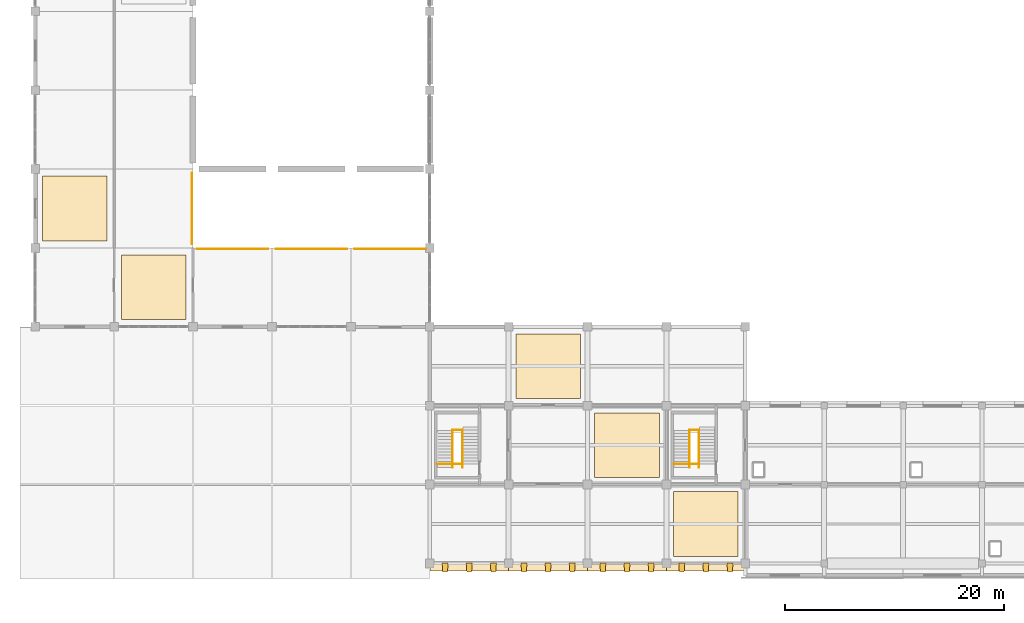
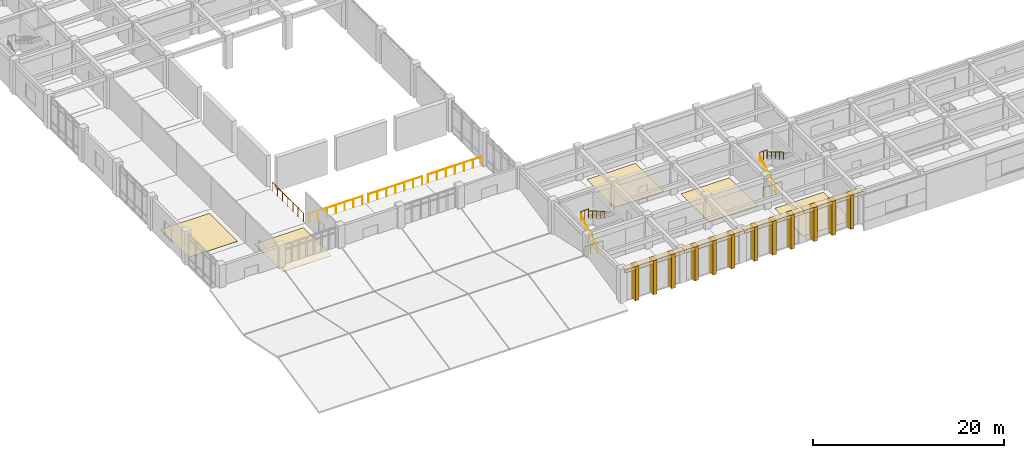
# One storey, part 64 of 70: 21 coverings, 12 railings.
"""IFC4 building model written with IfcOpenShell, lengths in metres."""

from ifc_helpers import new_model, si_unit, direction, frame, origin, origin_2d, place, context, subcontext, project, spatial, polyline, circle, outline, extrude, material, layer, layer_set, type_object, element, save


model = new_model("IFC4")

# Units and contexts
model_context = context("Model", 3, precision=1e-05, world=origin(), true_north=direction((0.0, 1.0)))
body_context = subcontext(model_context, "Body", "Model", "MODEL_VIEW")
ifc_project = project(units=[si_unit("LENGTHUNIT", "METRE"), si_unit("AREAUNIT", "SQUARE_METRE"), si_unit("VOLUMEUNIT", "CUBIC_METRE"), si_unit("PLANEANGLEUNIT", "RADIAN"), si_unit("MASSUNIT", "GRAM", prefix="KILO")], contexts=[model_context])

# Site, building, storey
site_placement = place(None, origin())
site = spatial("IfcSite", under=ifc_project, at=site_placement, CompositionType="ELEMENT")
building_placement = place(site_placement, origin())
building = spatial("IfcBuilding", under=site, at=building_placement, Name="Kavelor Marine Aquarium", CompositionType="ELEMENT")
storey_placement = place(building_placement, frame((0.0, 0.0, 9.179931640625)))
storey = spatial("IfcBuildingStorey", under=building, at=storey_placement, Name="L02", CompositionType="ELEMENT", Elevation=9.179931640625)

# Coverings
ifc_material_1 = material(Name="Polished Coastal Terrazzo Flooring")
ifc_layer_1 = layer(ifc_material_1, 0.030029296875)
ifc_layer_set_1 = layer_set([ifc_layer_1], Name="COV-FL1")
covering_type_1 = type_object("IfcCoveringType", Name="COV-FL1", PredefinedType="FLOORING", material=ifc_layer_set_1)
covering_1_placement = place(storey_placement, origin())
element("IfcCovering", 1, at=covering_1_placement, inside=storey, type_object=covering_type_1, Name="flr:L02:00_04", PredefinedType="FLOORING", context=body_context, shape_type="SweptSolid", body=[
    extrude(outline(polyline([(3.85009765625, 32.25), (9.75, 32.25), (9.75, 38.14990234375), (3.85009765625, 38.14990234375), (3.85009765625, 32.25)])), origin(), (0.0, 0.0, 1.0), 0.030029296875),
])
covering_2_placement = place(storey_placement, origin())
element("IfcCovering", 2, at=covering_2_placement, inside=storey, type_object=covering_type_1, Name="flr:L02:01_03", PredefinedType="FLOORING", context=body_context, shape_type="SweptSolid", body=[
    extrude(outline(polyline([(11.050048828125, 25.050048828125), (16.949951171875, 25.050048828125), (16.949951171875, 30.949951171875), (11.050048828125, 30.949951171875), (11.050048828125, 25.050048828125)])), origin(), (0.0, 0.0, 1.0), 0.030029296875),
])
covering_3_placement = place(storey_placement, origin())
element("IfcCovering", 3, at=covering_3_placement, inside=storey, type_object=covering_type_1, Name="flr:L02:07_01", PredefinedType="FLOORING", context=body_context, shape_type="SweptSolid", body=[
    extrude(outline(polyline([(54.25, 10.64990234375), (60.14990234375, 10.64990234375), (60.14990234375, 16.550048828125), (54.25, 16.550048828125), (54.25, 10.64990234375)])), origin(), (0.0, 0.0, 1.0), 0.030029296875),
])
ifc_material_2 = material(Name="Slip-Resistant Marine Epoxy Husbandry Flooring")
ifc_layer_2 = layer(ifc_material_2, 0.02490234375)
ifc_layer_set_2 = layer_set([ifc_layer_2], Name="COV-FL2")
covering_type_2 = type_object("IfcCoveringType", Name="COV-FL2", PredefinedType="FLOORING", material=ifc_layer_set_2)
covering_4_placement = place(storey_placement, origin())
element("IfcCovering", 4, at=covering_4_placement, inside=storey, type_object=covering_type_2, Name="flr:L02:06_02", PredefinedType="FLOORING", context=body_context, shape_type="SweptSolid", body=[
    extrude(outline(polyline([(47.050048828125, 17.85009765625), (52.949951171875, 17.85009765625), (52.949951171875, 23.75), (47.050048828125, 23.75), (47.050048828125, 17.85009765625)])), origin(), (0.0, 0.0, 1.0), 0.025146484375),
])
covering_5_placement = place(storey_placement, origin())
element("IfcCovering", 5, at=covering_5_placement, inside=storey, type_object=covering_type_2, Name="flr:L02:08_00", PredefinedType="FLOORING", context=body_context, shape_type="SweptSolid", body=[
    extrude(outline(polyline([(61.449951171875, 3.449951171875), (67.35009765625, 3.449951171875), (67.35009765625, 9.35009765625), (61.449951171875, 9.35009765625), (61.449951171875, 3.449951171875)])), origin(), (0.0, 0.0, 1.0), 0.025146484375),
])
ifc_material_3 = material(Name="Sculptural Board-Marked Concrete C45/55 Bastion Rib", Category="concrete")
ifc_layer_3 = layer(ifc_material_3, 0.360107421875)
ifc_layer_set_3 = layer_set([ifc_layer_3], Name="COV-RB1")
covering_type_3 = type_object("IfcCoveringType", Name="COV-RB1", PredefinedType="CLADDING", material=ifc_layer_set_3)
covering_6_placement = place(storey_placement, origin())
element("IfcCovering", 6, at=covering_6_placement, inside=storey, type_object=covering_type_3, Name="bastion:rib:L02:05:0", PredefinedType="CLADDING", context=body_context, shape_type="SweptSolid", body=[
    extrude(outline(polyline([(40.3798828125, 2.0400390625), (40.820068359375, 2.0400390625), (40.8798828125, 2.85009765625), (40.320068359375, 2.85009765625), (40.3798828125, 2.0400390625)])), origin(), (0.0, 0.0, 1.0), 4.320068359375),
])
covering_7_placement = place(storey_placement, origin())
element("IfcCovering", 7, at=covering_7_placement, inside=storey, type_object=covering_type_3, Name="bastion:rib:L02:05:1", PredefinedType="CLADDING", context=body_context, shape_type="SweptSolid", body=[
    extrude(outline(polyline([(42.580078125, 2.0400390625), (43.02001953125, 2.0400390625), (43.080078125, 2.85009765625), (42.52001953125, 2.85009765625), (42.580078125, 2.0400390625)])), origin(), (0.0, 0.0, 1.0), 4.320068359375),
])
covering_8_placement = place(storey_placement, origin())
element("IfcCovering", 8, at=covering_8_placement, inside=storey, type_object=covering_type_3, Name="bastion:rib:L02:05:2", PredefinedType="CLADDING", context=body_context, shape_type="SweptSolid", body=[
    extrude(outline(polyline([(44.780029296875, 2.0400390625), (45.219970703125, 2.0400390625), (45.280029296875, 2.85009765625), (44.719970703125, 2.85009765625), (44.780029296875, 2.0400390625)])), origin(), (0.0, 0.0, 1.0), 4.320068359375),
])
covering_9_placement = place(storey_placement, frame((0.0, 0.0, 3.900146484375)))
element("IfcCovering", 9, at=covering_9_placement, inside=storey, type_object=covering_type_3, Name="bastion:band:L02:05", PredefinedType="CLADDING", context=body_context, shape_type="SweptSolid", body=[
    extrude(outline(polyline([(39.199951171875, 2.1201171875), (46.39990234375, 2.1201171875), (46.39990234375, 2.85009765625), (39.199951171875, 2.85009765625), (39.199951171875, 2.1201171875)])), origin(), (0.0, 0.0, 1.0), 0.419921875),
])
covering_10_placement = place(storey_placement, origin())
element("IfcCovering", 10, at=covering_10_placement, inside=storey, type_object=covering_type_3, Name="bastion:rib:L02:06:0", PredefinedType="CLADDING", context=body_context, shape_type="SweptSolid", body=[
    extrude(outline(polyline([(47.580078125, 2.0400390625), (48.02001953125, 2.0400390625), (48.080078125, 2.85009765625), (47.52001953125, 2.85009765625), (47.580078125, 2.0400390625)])), origin(), (0.0, 0.0, 1.0), 4.320068359375),
])
covering_11_placement = place(storey_placement, origin())
element("IfcCovering", 11, at=covering_11_placement, inside=storey, type_object=covering_type_3, Name="bastion:rib:L02:06:1", PredefinedType="CLADDING", context=body_context, shape_type="SweptSolid", body=[
    extrude(outline(polyline([(49.780029296875, 2.0400390625), (50.219970703125, 2.0400390625), (50.280029296875, 2.85009765625), (49.719970703125, 2.85009765625), (49.780029296875, 2.0400390625)])), origin(), (0.0, 0.0, 1.0), 4.320068359375),
])
covering_12_placement = place(storey_placement, origin())
element("IfcCovering", 12, at=covering_12_placement, inside=storey, type_object=covering_type_3, Name="bastion:rib:L02:06:2", PredefinedType="CLADDING", context=body_context, shape_type="SweptSolid", body=[
    extrude(outline(polyline([(51.97998046875, 2.0400390625), (52.419921875, 2.0400390625), (52.47998046875, 2.85009765625), (51.919921875, 2.85009765625), (51.97998046875, 2.0400390625)])), origin(), (0.0, 0.0, 1.0), 4.320068359375),
])
covering_13_placement = place(storey_placement, frame((0.0, 0.0, 3.900146484375)))
element("IfcCovering", 13, at=covering_13_placement, inside=storey, type_object=covering_type_3, Name="bastion:band:L02:06", PredefinedType="CLADDING", context=body_context, shape_type="SweptSolid", body=[
    extrude(outline(polyline([(46.39990234375, 2.1201171875), (53.60009765625, 2.1201171875), (53.60009765625, 2.85009765625), (46.39990234375, 2.85009765625), (46.39990234375, 2.1201171875)])), origin(), (0.0, 0.0, 1.0), 0.419921875),
])
covering_14_placement = place(storey_placement, origin())
element("IfcCovering", 14, at=covering_14_placement, inside=storey, type_object=covering_type_3, Name="bastion:rib:L02:07:0", PredefinedType="CLADDING", context=body_context, shape_type="SweptSolid", body=[
    extrude(outline(polyline([(54.780029296875, 2.0400390625), (55.219970703125, 2.0400390625), (55.280029296875, 2.85009765625), (54.719970703125, 2.85009765625), (54.780029296875, 2.0400390625)])), origin(), (0.0, 0.0, 1.0), 4.320068359375),
])
covering_15_placement = place(storey_placement, origin())
element("IfcCovering", 15, at=covering_15_placement, inside=storey, type_object=covering_type_3, Name="bastion:rib:L02:07:1", PredefinedType="CLADDING", context=body_context, shape_type="SweptSolid", body=[
    extrude(outline(polyline([(56.97998046875, 2.0400390625), (57.419921875, 2.0400390625), (57.47998046875, 2.85009765625), (56.919921875, 2.85009765625), (56.97998046875, 2.0400390625)])), origin(), (0.0, 0.0, 1.0), 4.320068359375),
])
covering_16_placement = place(storey_placement, origin())
element("IfcCovering", 16, at=covering_16_placement, inside=storey, type_object=covering_type_3, Name="bastion:rib:L02:07:2", PredefinedType="CLADDING", context=body_context, shape_type="SweptSolid", body=[
    extrude(outline(polyline([(59.179931640625, 2.0400390625), (59.6201171875, 2.0400390625), (59.679931640625, 2.85009765625), (59.1201171875, 2.85009765625), (59.179931640625, 2.0400390625)])), origin(), (0.0, 0.0, 1.0), 4.320068359375),
])
covering_17_placement = place(storey_placement, frame((0.0, 0.0, 3.900146484375)))
element("IfcCovering", 17, at=covering_17_placement, inside=storey, type_object=covering_type_3, Name="bastion:band:L02:07", PredefinedType="CLADDING", context=body_context, shape_type="SweptSolid", body=[
    extrude(outline(polyline([(53.60009765625, 2.1201171875), (60.800048828125, 2.1201171875), (60.800048828125, 2.85009765625), (53.60009765625, 2.85009765625), (53.60009765625, 2.1201171875)])), origin(), (0.0, 0.0, 1.0), 0.419921875),
])
covering_18_placement = place(storey_placement, origin())
element("IfcCovering", 18, at=covering_18_placement, inside=storey, type_object=covering_type_3, Name="bastion:rib:L02:08:0", PredefinedType="CLADDING", context=body_context, shape_type="SweptSolid", body=[
    extrude(outline(polyline([(61.97998046875, 2.0400390625), (62.419921875, 2.0400390625), (62.47998046875, 2.85009765625), (61.919921875, 2.85009765625), (61.97998046875, 2.0400390625)])), origin(), (0.0, 0.0, 1.0), 4.320068359375),
])
covering_19_placement = place(storey_placement, origin())
element("IfcCovering", 19, at=covering_19_placement, inside=storey, type_object=covering_type_3, Name="bastion:rib:L02:08:1", PredefinedType="CLADDING", context=body_context, shape_type="SweptSolid", body=[
    extrude(outline(polyline([(64.179931640625, 2.0400390625), (64.6201171875, 2.0400390625), (64.679931640625, 2.85009765625), (64.1201171875, 2.85009765625), (64.179931640625, 2.0400390625)])), origin(), (0.0, 0.0, 1.0), 4.320068359375),
])
covering_20_placement = place(storey_placement, origin())
element("IfcCovering", 20, at=covering_20_placement, inside=storey, type_object=covering_type_3, Name="bastion:rib:L02:08:2", PredefinedType="CLADDING", context=body_context, shape_type="SweptSolid", body=[
    extrude(outline(polyline([(66.3798828125, 2.0400390625), (66.820068359375, 2.0400390625), (66.8798828125, 2.85009765625), (66.320068359375, 2.85009765625), (66.3798828125, 2.0400390625)])), origin(), (0.0, 0.0, 1.0), 4.320068359375),
])
covering_21_placement = place(storey_placement, frame((0.0, 0.0, 3.900146484375)))
element("IfcCovering", 21, at=covering_21_placement, inside=storey, type_object=covering_type_3, Name="bastion:band:L02:08", PredefinedType="CLADDING", context=body_context, shape_type="SweptSolid", body=[
    extrude(outline(polyline([(60.800048828125, 2.1201171875), (68.0, 2.1201171875), (68.0, 2.85009765625), (60.800048828125, 2.85009765625), (60.800048828125, 2.1201171875)])), origin(), (0.0, 0.0, 1.0), 0.419921875),
])

# Railings
ifc_material_4 = material(Name="Laminated Glass and Stainless Steel Gallery Balustrade", Category="steel")
railing_type_1 = type_object("IfcRailingType", Name="RL-BL1", PredefinedType="BALUSTRADE", material=ifc_material_4)
railing_1_placement = place(storey_placement, frame((17.52001953125, 31.949951171875, 0.0)))
element("IfcRailing", 22, at=railing_1_placement, inside=storey, type_object=railing_type_1, Name="Gallery Void Balustrade BL1 (L02)", PredefinedType="BALUSTRADE", context=body_context, shape_type="SweptSolid", body=[
    extrude(circle(Radius=0.02392578125, at=origin_2d()), frame((0.0, 0.0, 1.09619140625), z_axis=(0.0, 1.0, 0.0), x_axis=(-1.0, 0.0, 0.0)), (0.0, 0.0, 1.0), 6.5),
    extrude(circle(Radius=0.0224609375, at=origin_2d()), origin(), (0.0, 0.0, 1.0), 1.072021484375),
    extrude(circle(Radius=0.0224609375, at=origin_2d()), frame((0.0, 1.083251953125, 0.0)), (0.0, 0.0, 1.0), 1.072021484375),
    extrude(circle(Radius=0.0224609375, at=origin_2d()), frame((0.0, 2.166748046875, 0.0)), (0.0, 0.0, 1.0), 1.072021484375),
    extrude(circle(Radius=0.0224609375, at=origin_2d()), frame((0.0, 3.25, 0.0)), (0.0, 0.0, 1.0), 1.072021484375),
    extrude(circle(Radius=0.0224609375, at=origin_2d()), frame((0.0, 4.333251953125, 0.0)), (0.0, 0.0, 1.0), 1.072021484375),
    extrude(circle(Radius=0.0224609375, at=origin_2d()), frame((0.0, 5.416748046875, 0.0)), (0.0, 0.0, 1.0), 1.072021484375),
    extrude(circle(Radius=0.0224609375, at=origin_2d()), frame((0.0, 6.5, 0.0)), (0.0, 0.0, 1.0), 1.072021484375),
])
for number, where, name in (
    (23, (17.949951171875, 31.52001953125, 0.0), "Gallery Void Balustrade BL1 (L02)"),
    (24, (25.14990234375, 31.52001953125, 0.0), "Gallery Void Balustrade BL1 (L02)"),
    (25, (32.35009765625, 31.52001953125, 0.0), "Gallery Void Balustrade BL1 (L02)"),
):
    element("IfcRailing", number, at=place(storey_placement, frame(where)), inside=storey, type_object=railing_type_1, Name=name, PredefinedType="BALUSTRADE", context=body_context, shape_type="SweptSolid", body=[
        extrude(circle(Radius=0.02392578125, at=origin_2d()), frame((0.0, 0.0, 1.09619140625), z_axis=(1.0, 0.0, 0.0), x_axis=(0.0, 1.0, 0.0)), (0.0, 0.0, 1.0), 6.5),
        extrude(circle(Radius=0.0224609375, at=origin_2d()), origin(), (0.0, 0.0, 1.0), 1.072021484375),
        extrude(circle(Radius=0.0224609375, at=origin_2d()), frame((1.083251953125, 0.0, 0.0)), (0.0, 0.0, 1.0), 1.072021484375),
        extrude(circle(Radius=0.0224609375, at=origin_2d()), frame((2.166748046875, 0.0, 0.0)), (0.0, 0.0, 1.0), 1.072021484375),
        extrude(circle(Radius=0.0224609375, at=origin_2d()), frame((3.25, 0.0, 0.0)), (0.0, 0.0, 1.0), 1.072021484375),
        extrude(circle(Radius=0.0224609375, at=origin_2d()), frame((4.333251953125, 0.0, 0.0)), (0.0, 0.0, 1.0), 1.072021484375),
        extrude(circle(Radius=0.0224609375, at=origin_2d()), frame((5.416748046875, 0.0, 0.0)), (0.0, 0.0, 1.0), 1.072021484375),
        extrude(circle(Radius=0.0224609375, at=origin_2d()), frame((6.5, 0.0, 0.0)), (0.0, 0.0, 1.0), 1.072021484375),
    ])
ifc_material_5 = material(Name="Brushed Stainless Steel Wall and Flight Handrail", Category="steel")
railing_type_2 = type_object("IfcRailingType", Name="RL-HR1", PredefinedType="HANDRAIL", material=ifc_material_5)
railing_2_placement = place(storey_placement, frame((41.2900390625, 11.56005859375, 0.0)))
element("IfcRailing", 26, at=railing_2_placement, inside=storey, type_object=railing_type_2, Name="Stair Handrail ST04-1", PredefinedType="HANDRAIL", context=body_context, shape_type="SweptSolid", body=[
    extrude(circle(Radius=0.02001953125, at=origin_2d()), frame((0.0, 0.0, 0.8798828125), z_axis=(0.0, 0.861568075097, 0.507642051029), x_axis=(-1.0, 0.0, 0.0)), (0.0, 0.0, 1.0), 3.927734375),
    extrude(circle(Radius=0.01806640625, at=origin_2d()), origin(), (0.0, 0.0, 1.0), 0.85986328125),
    extrude(circle(Radius=0.01806640625, at=origin_2d()), frame((0.0, 0.845947265625, 0.49853515625)), (0.0, 0.0, 1.0), 0.85986328125),
    extrude(circle(Radius=0.01806640625, at=origin_2d()), frame((0.0, 1.69189453125, 0.9970703125)), (0.0, 0.0, 1.0), 0.85986328125),
    extrude(circle(Radius=0.01806640625, at=origin_2d()), frame((0.0, 2.5380859375, 1.495361328125)), (0.0, 0.0, 1.0), 0.85986328125),
    extrude(circle(Radius=0.01806640625, at=origin_2d()), frame((0.0, 3.384033203125, 1.993896484375)), (0.0, 0.0, 1.0), 0.85986328125),
])
railing_3_placement = place(storey_placement, frame((42.18994140625, 14.944091796875, 2.16015625)))
element("IfcRailing", 27, at=railing_3_placement, inside=storey, type_object=railing_type_2, Name="Stair Handrail ST04-2", PredefinedType="HANDRAIL", context=body_context, shape_type="SweptSolid", body=[
    extrude(circle(Radius=0.02001953125, at=origin_2d()), frame((0.0, 0.0, 0.8798828125), z_axis=(0.0, -0.861595260526, 0.507595909202), x_axis=(1.0, 0.0, 0.0)), (0.0, 0.0, 1.0), 3.927734375),
    extrude(circle(Radius=0.01806640625, at=origin_2d()), origin(), (0.0, 0.0, 1.0), 0.85986328125),
    extrude(circle(Radius=0.01806640625, at=origin_2d()), frame((0.0, -0.845947265625, 0.49853515625)), (0.0, 0.0, 1.0), 0.85986328125),
    extrude(circle(Radius=0.01806640625, at=origin_2d()), frame((0.0, -1.69189453125, 0.996826171875)), (0.0, 0.0, 1.0), 0.85986328125),
    extrude(circle(Radius=0.01806640625, at=origin_2d()), frame((0.0, -2.5380859375, 1.4951171875)), (0.0, 0.0, 1.0), 0.85986328125),
    extrude(circle(Radius=0.01806640625, at=origin_2d()), frame((0.0, -3.384033203125, 1.99365234375)), (0.0, 0.0, 1.0), 0.85986328125),
])
railing_4_placement = place(storey_placement, frame((62.889892578125, 11.56005859375, 0.0)))
element("IfcRailing", 28, at=railing_4_placement, inside=storey, type_object=railing_type_2, Name="Stair Handrail ST12-1", PredefinedType="HANDRAIL", context=body_context, shape_type="SweptSolid", body=[
    extrude(circle(Radius=0.02001953125, at=origin_2d()), frame((0.0, 0.0, 0.8798828125), z_axis=(0.0, 0.861568075097, 0.507642051029), x_axis=(-1.0, 0.0, 0.0)), (0.0, 0.0, 1.0), 3.927734375),
    extrude(circle(Radius=0.01806640625, at=origin_2d()), origin(), (0.0, 0.0, 1.0), 0.85986328125),
    extrude(circle(Radius=0.01806640625, at=origin_2d()), frame((0.0, 0.845947265625, 0.49853515625)), (0.0, 0.0, 1.0), 0.85986328125),
    extrude(circle(Radius=0.01806640625, at=origin_2d()), frame((0.0, 1.69189453125, 0.9970703125)), (0.0, 0.0, 1.0), 0.85986328125),
    extrude(circle(Radius=0.01806640625, at=origin_2d()), frame((0.0, 2.5380859375, 1.495361328125)), (0.0, 0.0, 1.0), 0.85986328125),
    extrude(circle(Radius=0.01806640625, at=origin_2d()), frame((0.0, 3.384033203125, 1.993896484375)), (0.0, 0.0, 1.0), 0.85986328125),
])
railing_5_placement = place(storey_placement, frame((63.7900390625, 14.944091796875, 2.16015625)))
element("IfcRailing", 29, at=railing_5_placement, inside=storey, type_object=railing_type_2, Name="Stair Handrail ST12-2", PredefinedType="HANDRAIL", context=body_context, shape_type="SweptSolid", body=[
    extrude(circle(Radius=0.02001953125, at=origin_2d()), frame((0.0, 0.0, 0.8798828125), z_axis=(0.0, -0.861595260526, 0.507595909202), x_axis=(1.0, 0.0, 0.0)), (0.0, 0.0, 1.0), 3.927734375),
    extrude(circle(Radius=0.01806640625, at=origin_2d()), origin(), (0.0, 0.0, 1.0), 0.85986328125),
    extrude(circle(Radius=0.01806640625, at=origin_2d()), frame((0.0, -0.845947265625, 0.49853515625)), (0.0, 0.0, 1.0), 0.85986328125),
    extrude(circle(Radius=0.01806640625, at=origin_2d()), frame((0.0, -1.69189453125, 0.996826171875)), (0.0, 0.0, 1.0), 0.85986328125),
    extrude(circle(Radius=0.01806640625, at=origin_2d()), frame((0.0, -2.5380859375, 1.4951171875)), (0.0, 0.0, 1.0), 0.85986328125),
    extrude(circle(Radius=0.01806640625, at=origin_2d()), frame((0.0, -3.384033203125, 1.99365234375)), (0.0, 0.0, 1.0), 0.85986328125),
])
ifc_material_6 = material(Name="Brushed Stainless Steel Stair Guardrail", Category="steel")
railing_type_3 = type_object("IfcRailingType", Name="RL-SG1", PredefinedType="GUARDRAIL", material=ifc_material_6)
railing_6_placement = place(storey_placement, frame((41.2900390625, 14.97412109375, 2.16015625)))
element("IfcRailing", 30, at=railing_6_placement, inside=storey, type_object=railing_type_3, Name="Landing Guardrail ST04-M", PredefinedType="GUARDRAIL", context=body_context, shape_type="SweptSolid", body=[
    extrude(circle(Radius=0.0224609375, at=origin_2d()), frame((0.0, 0.0, 1.09765625), z_axis=(1.0, 0.0, 0.0), x_axis=(0.0, 1.0, 0.0)), (0.0, 0.0, 1.0), 0.89990234375),
    extrude(circle(Radius=0.02099609375, at=origin_2d()), origin(), (0.0, 0.0, 1.0), 1.0751953125),
    extrude(circle(Radius=0.02099609375, at=origin_2d()), frame((0.449951171875, 0.0, 0.0)), (0.0, 0.0, 1.0), 1.0751953125),
    extrude(circle(Radius=0.02099609375, at=origin_2d()), frame((0.89990234375, 0.0, 0.0)), (0.0, 0.0, 1.0), 1.0751953125),
])
railing_7_placement = place(storey_placement, frame((39.8798828125, 11.8798828125, 0.0)))
element("IfcRailing", 31, at=railing_7_placement, inside=storey, type_object=railing_type_3, Name="Stairwell Guardrail ST04-W", PredefinedType="GUARDRAIL", context=body_context, shape_type="SweptSolid", body=[
    extrude(circle(Radius=0.0224609375, at=origin_2d()), frame((0.0, 0.0, 1.09765625), z_axis=(1.0, 0.0, 0.0), x_axis=(0.0, 1.0, 0.0)), (0.0, 0.0, 1.0), 2.300048828125),
    extrude(circle(Radius=0.02099609375, at=origin_2d()), origin(), (0.0, 0.0, 1.0), 1.0751953125),
    extrude(circle(Radius=0.02099609375, at=origin_2d()), frame((0.7666015625, 0.0, 0.0)), (0.0, 0.0, 1.0), 1.0751953125),
    extrude(circle(Radius=0.02099609375, at=origin_2d()), frame((1.533447265625, 0.0, 0.0)), (0.0, 0.0, 1.0), 1.0751953125),
    extrude(circle(Radius=0.02099609375, at=origin_2d()), frame((2.300048828125, 0.0, 0.0)), (0.0, 0.0, 1.0), 1.0751953125),
])
railing_8_placement = place(storey_placement, frame((62.889892578125, 14.97412109375, 2.16015625)))
element("IfcRailing", 32, at=railing_8_placement, inside=storey, type_object=railing_type_3, Name="Landing Guardrail ST12-M", PredefinedType="GUARDRAIL", context=body_context, shape_type="SweptSolid", body=[
    extrude(circle(Radius=0.0224609375, at=origin_2d()), frame((0.0, 0.0, 1.09765625), z_axis=(1.0, 0.0, 0.0), x_axis=(0.0, 1.0, 0.0)), (0.0, 0.0, 1.0), 0.900146484375),
    extrude(circle(Radius=0.02099609375, at=origin_2d()), origin(), (0.0, 0.0, 1.0), 1.0751953125),
    extrude(circle(Radius=0.02099609375, at=origin_2d()), frame((0.4501953125, 0.0, 0.0)), (0.0, 0.0, 1.0), 1.0751953125),
    extrude(circle(Radius=0.02099609375, at=origin_2d()), frame((0.900146484375, 0.0, 0.0)), (0.0, 0.0, 1.0), 1.0751953125),
])
railing_9_placement = place(storey_placement, frame((61.47998046875, 11.8798828125, 0.0)))
element("IfcRailing", 33, at=railing_9_placement, inside=storey, type_object=railing_type_3, Name="Stairwell Guardrail ST12-W", PredefinedType="GUARDRAIL", context=body_context, shape_type="SweptSolid", body=[
    extrude(circle(Radius=0.0224609375, at=origin_2d()), frame((0.0, 0.0, 1.09765625), z_axis=(1.0, 0.0, 0.0), x_axis=(0.0, 1.0, 0.0)), (0.0, 0.0, 1.0), 2.300048828125),
    extrude(circle(Radius=0.02099609375, at=origin_2d()), origin(), (0.0, 0.0, 1.0), 1.0751953125),
    extrude(circle(Radius=0.02099609375, at=origin_2d()), frame((0.7666015625, 0.0, 0.0)), (0.0, 0.0, 1.0), 1.0751953125),
    extrude(circle(Radius=0.02099609375, at=origin_2d()), frame((1.533447265625, 0.0, 0.0)), (0.0, 0.0, 1.0), 1.0751953125),
    extrude(circle(Radius=0.02099609375, at=origin_2d()), frame((2.300048828125, 0.0, 0.0)), (0.0, 0.0, 1.0), 1.0751953125),
])

save(model, "model.ifc")
